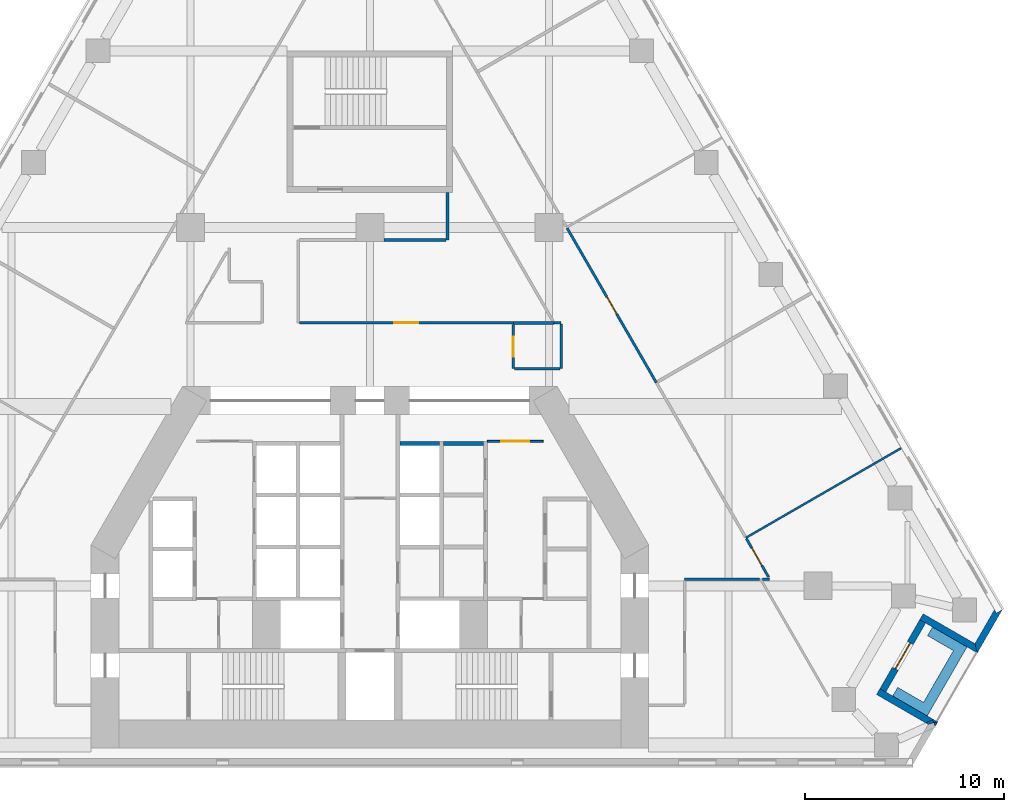
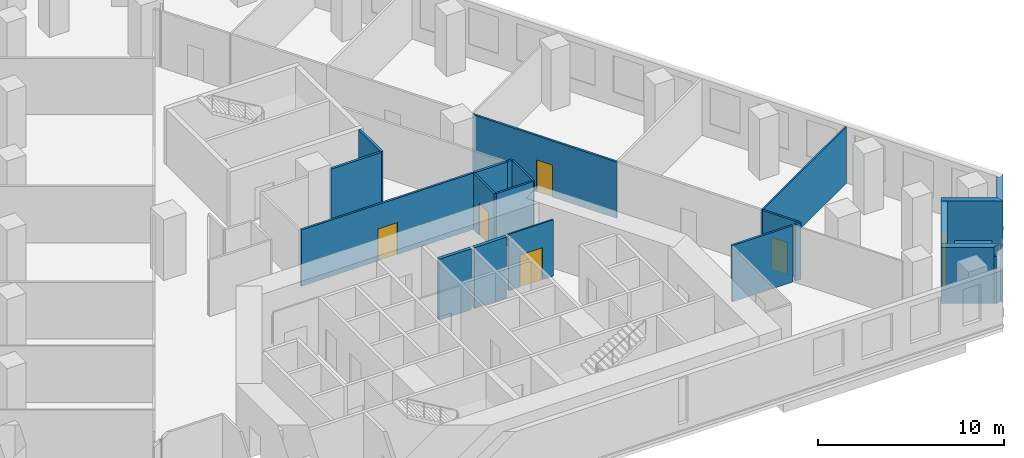
# One storey, part 7 of 11: 23 walls, 6 doors, 6 openings.
"""IFC4 building model written with IfcOpenShell, lengths in metres."""

from ifc_helpers import new_model, si_unit, direction, frame, frame_2d, origin, place, context, subcontext, project, spatial, polyline, rectangle, outline, extrude, material, layer, layer_set, type_object, element, fill, save


model = new_model("IFC4")

# Units and contexts
model_context = context("Model", 3, precision=1e-05, world=origin(), true_north=direction((0.0, 1.0)))
body_context = subcontext(model_context, "Body", "Model", "MODEL_VIEW")
ifc_project = project(units=[si_unit("LENGTHUNIT", "METRE"), si_unit("AREAUNIT", "SQUARE_METRE"), si_unit("VOLUMEUNIT", "CUBIC_METRE"), si_unit("PLANEANGLEUNIT", "RADIAN"), si_unit("MASSUNIT", "GRAM", prefix="KILO")], contexts=[model_context])

# Site, building, storey
site_placement = place(None, origin())
site = spatial("IfcSite", under=ifc_project, at=site_placement, CompositionType="ELEMENT")
building_placement = place(site_placement, origin())
building = spatial("IfcBuilding", under=site, at=building_placement, Name="Fogline Exchange Tower", CompositionType="ELEMENT")
storey_placement = place(building_placement, frame((0.0, 0.0, 60.89990234375)))
storey = spatial("IfcBuildingStorey", under=building, at=storey_placement, Name="L12", CompositionType="ELEMENT", Elevation=60.89990234375)

# Wall, opening, door
ifc_material_1 = material(Name="Blockwork partition", Category="masonry")
ifc_layer_1 = layer(ifc_material_1, 0.10009765625)
ifc_layer_set_1 = layer_set([ifc_layer_1], Name="CW10")
wall_type_1 = type_object("IfcWallType", Name="CW10", PredefinedType="PARTITIONING", material=ifc_layer_set_1)
wall_1_placement = place(storey_placement, frame((5.89990234375, 16.25, 0.0), z_axis=(0.0, 0.0, 1.0), x_axis=(1.0, 0.0, 0.0)))
wall_1 = element("IfcWall", 1, at=wall_1_placement, inside=storey, type_object=wall_type_1, Name="Lift lobby partition", PredefinedType="PARTITIONING", context=body_context, shape_type="SweptSolid", body=[
    extrude(rectangle(XDim=2.800048828125, YDim=0.10009765625, at=frame_2d((1.39990234375, 0.0))), origin(), (0.0, 0.0, 1.0), 3.7001953125),
])
opening_1_placement = place(wall_1_placement, frame((0.699951171875, 0.0, 0.0)))
opening_1 = element("IfcOpeningElement", 2, at=opening_1_placement, cuts=wall_1, Name="Opening T03-C013", PredefinedType="OPENING", context=body_context, shape_type="SweptSolid", body=[
    extrude(rectangle(XDim=1.39990234375, YDim=2.10009765625, at=frame_2d((0.699951171875, 1.050048828125))), frame((0.0, 0.06005859375, 0.0), z_axis=(0.0, -1.0, 0.0), x_axis=(1.0, 0.0, 0.0)), (0.0, 0.0, 1.0), 0.1201171875),
])
ifc_material_2 = material(Name="Steel and timber fire door", Category="steel")
door_type_1 = type_object("IfcDoorType", Name="D-LB1", OperationType="DOUBLE_DOOR_SINGLE_SWING", PredefinedType="DOOR", material=ifc_material_2)
door_1_placement = place(opening_1_placement, origin())
door_1 = element("IfcDoor", 3, at=door_1_placement, inside=storey, type_object=door_type_1, Name="Door to lift lobby", OperationType="DOUBLE_DOOR_SINGLE_SWING", OverallHeight=2.10009765625, OverallWidth=1.39990234375, PredefinedType="DOOR", context=body_context, shape_type="SweptSolid", body=[
    extrude(rectangle(XDim=1.39990234375, YDim=2.10009765625, at=frame_2d((0.699951171875, 1.050048828125))), frame((0.0, 0.02490234375, 0.0), z_axis=(0.0, -1.0, 0.0), x_axis=(1.0, 0.0, 0.0)), (0.0, 0.0, 1.0), 0.050048828125),
])
fill(opening_1, door_1)

# Walls
ifc_material_3 = material(Name="Concrete C40", Category="concrete")
ifc_layer_2 = layer(ifc_material_3, 0.199951171875)
ifc_layer_set_2 = layer_set([ifc_layer_2], Name="CW20S")
wall_type_2 = type_object("IfcWallType", Name="CW20S", PredefinedType="SOLIDWALL", material=ifc_layer_set_2)
for number, where, z_axis, x_axis, name in (
    (4, (3.699951171875, 16.14990234375, -0.2998046875), (0.0, 0.0, 1.0), (1.0, 0.0, 0.0), "Lift shaft wall"),
    (5, (1.5, 16.14990234375, -0.2998046875), (0.0, 0.0, 1.0), (1.0, 0.0, 0.0), "Lift shaft wall"),
):
    element("IfcWall", number, at=place(storey_placement, frame(where, z_axis=z_axis, x_axis=x_axis)), inside=storey, type_object=wall_type_2, Name=name, PredefinedType="SOLIDWALL", context=body_context, shape_type="SweptSolid", body=[
        extrude(rectangle(XDim=2.0, YDim=0.199951171875, at=frame_2d((1.0, 0.0))), origin(), (0.0, 0.0, 1.0), 4.0),
    ])
ifc_material_4 = material(Name="Brick masonry", Category="masonry")
ifc_layer_3 = layer(ifc_material_4, 0.340087890625)
ifc_layer_set_3 = layer_set([ifc_layer_3], Name="FW1")
wall_type_3 = type_object("IfcWallType", Name="FW1", PredefinedType="SOLIDWALL", material=ifc_layer_set_3)
wall_2_placement = place(storey_placement, origin())
element("IfcWall", 6, at=wall_2_placement, inside=storey, type_object=wall_type_3, Name="Brick wall L12 SE-c1", PredefinedType="SOLIDWALL", context=body_context, shape_type="SweptSolid", body=[
    extrude(outline(polyline([(28.388916015625, 1.962646484375), (28.319580078125, 2.115966796875), (28.506103515625, 2.166015625), (28.50634765625, 2.165771484375), (28.388916015625, 1.962646484375)])), origin(), (0.0, 0.0, 1.0), 3.7001953125),
])
wall_3_placement = place(storey_placement, origin())
element("IfcWall", 7, at=wall_3_placement, inside=storey, type_object=wall_type_3, Name="Brick wall L12 SE-s1", PredefinedType="SOLIDWALL", context=body_context, shape_type="SweptSolid", body=[
    extrude(outline(polyline([(28.040771484375, 2.0400390625), (27.91015625, 2.115478515625), (28.25, 2.269287109375), (28.320068359375, 2.11474609375), (28.040771484375, 2.0400390625)])), origin(), (0.0, 0.0, 1.0), 3.10009765625),
])
wall_4_placement = place(storey_placement, origin())
element("IfcWall", 8, at=wall_4_placement, inside=storey, type_object=wall_type_3, Name="Brick wall L12 SE-s1", PredefinedType="SOLIDWALL", context=body_context, shape_type="SweptSolid", body=[
    extrude(outline(polyline([(25.612548828125, 3.8359375), (25.907470703125, 3.66552734375), (28.50634765625, 2.1650390625), (28.50634765625, 2.164794921875), (28.320068359375, 2.11474609375), (28.25, 2.269287109375), (27.91015625, 2.115478515625), (25.44189453125, 3.540283203125), (25.612548828125, 3.8359375)])), origin(), (0.0, 0.0, 1.0), 3.7001953125),
])

# Wall, opening, door
wall_5_placement = place(storey_placement, frame((25.760009765625, 3.75, 0.0), z_axis=(0.0, 0.0, 1.0), x_axis=(0.49999894854, 0.866026010844, 0.0)))
wall_5 = element("IfcWall", 9, at=wall_5_placement, inside=storey, type_object=wall_type_3, Name="Brick wall L12 SE-bk", PredefinedType="SOLIDWALL", context=body_context, shape_type="SweptSolid", body=[
    extrude(rectangle(XDim=4.0, YDim=0.340087890625, at=frame_2d((2.0, 0.0))), origin(), (0.0, 0.0, 1.0), 3.7001953125),
])
opening_2_placement = place(wall_5_placement, frame((1.25, 0.0, 0.0)))
opening_2 = element("IfcOpeningElement", 10, at=opening_2_placement, cuts=wall_5, Name="Opening T03-E081", PredefinedType="OPENING", context=body_context, shape_type="SweptSolid", body=[
    extrude(rectangle(XDim=1.5, YDim=2.39990234375, at=frame_2d((0.75, 1.199951171875))), frame((0.0, 0.18017578125, 0.0), z_axis=(0.0, -1.0, 0.0), x_axis=(1.0, 0.0, 0.0)), (0.0, 0.0, 1.0), 0.360107421875),
])
ifc_material_5 = material(Name="Aluminium and glass", Category="aluminium")
door_type_2 = type_object("IfcDoorType", Name="ED4", OperationType="SINGLE_SWING_LEFT", PredefinedType="DOOR", material=ifc_material_5)
door_2_placement = place(opening_2_placement, frame((1.5, 0.0, 0.0), z_axis=(0.0, 0.0, 1.0), x_axis=(-1.0, 0.0, 0.0)))
door_2 = element("IfcDoor", 11, at=door_2_placement, inside=storey, type_object=door_type_2, Name="Balcony door L12 SE", OperationType="DOUBLE_DOOR_SINGLE_SWING", OverallHeight=2.39990234375, OverallWidth=1.5, PredefinedType="DOOR", context=body_context, shape_type="SweptSolid", body=[
    extrude(rectangle(XDim=1.5, YDim=2.39990234375, at=frame_2d((0.75, 1.199951171875))), frame((0.0, 0.02490234375, 0.0), z_axis=(0.0, -1.0, 0.0), x_axis=(1.0, 0.0, 0.0)), (0.0, 0.0, 1.0), 0.050048828125),
])
fill(opening_2, door_2)

# Walls
wall_6_placement = place(storey_placement, origin())
element("IfcWall", 12, at=wall_6_placement, inside=storey, type_object=wall_type_3, Name="Brick wall L12 SE-s2", PredefinedType="SOLIDWALL", context=body_context, shape_type="SweptSolid", body=[
    extrude(outline(polyline([(30.505859375, 5.628173828125), (27.90673828125, 7.128662109375), (27.61181640625, 7.298828125), (27.782470703125, 7.594482421875), (30.38134765625, 6.093994140625), (30.506103515625, 5.62841796875), (30.505859375, 5.628173828125)])), origin(), (0.0, 0.0, 1.0), 3.7001953125),
])
wall_7_placement = place(storey_placement, origin())
element("IfcWall", 13, at=wall_7_placement, inside=storey, type_object=wall_type_3, Name="Brick wall L12 SE-c2", PredefinedType="SOLIDWALL", context=body_context, shape_type="SweptSolid", body=[
    extrude(outline(polyline([(31.362548828125, 7.79541015625), (31.4609375, 7.625), (31.755859375, 7.79541015625), (31.75634765625, 7.794921875), (30.505126953125, 5.6279296875), (30.5048828125, 5.6279296875), (30.380126953125, 6.09375), (31.362548828125, 7.79541015625)])), origin(), (0.0, 0.0, 1.0), 3.7001953125),
])
ifc_material_6 = material(Name="Concrete C30", Category="concrete")
ifc_layer_4 = layer(ifc_material_6, 0.199951171875)
ifc_layer_set_4 = layer_set([ifc_layer_4], Name="PL1")
wall_type_4 = type_object("IfcWallType", Name="PL1", PredefinedType="USERDEFINED", material=ifc_layer_set_4)
wall_8_placement = place(storey_placement, origin())
element("IfcWall", 14, at=wall_8_placement, inside=storey, type_object=wall_type_4, Name="PLANTER balcony L12 SE", ObjectType="PLANTER", PredefinedType="USERDEFINED", context=body_context, shape_type="SweptSolid", body=[
    extrude(outline(polyline([(26.253662109375, 3.465087890625), (27.552490234375, 2.715087890625), (27.552490234375, 2.715087890625), (27.985595703125, 2.465087890625), (29.735595703125, 5.49609375), (29.985595703125, 5.92919921875), (28.253662109375, 6.92919921875), (28.003662109375, 6.49609375), (29.302490234375, 5.74609375), (27.802490234375, 3.148193359375), (26.503662109375, 3.898193359375), (26.253662109375, 3.465087890625)])), origin(), (0.0, 0.0, 1.0), 1.10009765625),
])
ifc_material_7 = material(Name="Plasterboard partition, 2 layers each side on steel studs", Category="steel")
ifc_layer_5 = layer(ifc_material_7, 0.10009765625)
ifc_layer_set_5 = layer_set([ifc_layer_5], Name="PW1")
wall_type_5 = type_object("IfcWallType", Name="PW1", PredefinedType="PARTITIONING", material=ifc_layer_set_5)
wall_9_placement = place(storey_placement, frame((18.881591796875, 11.412109375, 0.0), z_axis=(0.0, 0.0, 1.0), x_axis=(0.866024315419, 0.5000018851, 0.0)))
element("IfcWall", 15, at=wall_9_placement, inside=storey, type_object=wall_type_5, Name="wall-L12-W056", PredefinedType="PARTITIONING", context=body_context, shape_type="SweptSolid", body=[
    extrude(rectangle(XDim=9.0, YDim=0.10009765625, at=frame_2d((4.5, 0.0))), origin(), (0.0, 0.0, 1.0), 3.7001953125),
])

# Wall, opening, door
ifc_material_8 = material(Name="Plasterboard corridor partition with mineral wool, 2 layers each side")
ifc_layer_6 = layer(ifc_material_8, 0.125)
ifc_layer_set_6 = layer_set([ifc_layer_6], Name="PW2")
wall_type_6 = type_object("IfcWallType", Name="PW2", PredefinedType="PARTITIONING", material=ifc_layer_set_6)
wall_10_placement = place(storey_placement, frame((7.199951171875, 22.12451171875, 0.0), z_axis=(0.0, 0.0, 1.0), x_axis=(0.0, -1.0, 0.0)))
wall_10 = element("IfcWall", 16, at=wall_10_placement, inside=storey, type_object=wall_type_6, Name="wall-L12-W003", PredefinedType="PARTITIONING", context=body_context, shape_type="SweptSolid", body=[
    extrude(rectangle(XDim=2.224609375, YDim=0.125, at=frame_2d((1.1123046875, 0.0))), origin(), (0.0, 0.0, 1.0), 3.7001953125),
])
opening_3_placement = place(wall_10_placement, frame((0.6123046875, 0.0, 0.0)))
opening_3 = element("IfcOpeningElement", 17, at=opening_3_placement, cuts=wall_10, Name="Opening T03-D002", PredefinedType="OPENING", context=body_context, shape_type="SweptSolid", body=[
    extrude(rectangle(XDim=1.0, YDim=2.10009765625, at=frame_2d((0.5, 1.050048828125))), frame((0.0, 0.072509765625, 0.0), z_axis=(0.0, -1.0, 0.0), x_axis=(1.0, 0.0, 0.0)), (0.0, 0.0, 1.0), 0.14501953125),
])
ifc_material_9 = material(Name="Fire-rated timber door leaf with steel frame", Category="steel")
door_type_3 = type_object("IfcDoorType", Name="D3", OperationType="SINGLE_SWING_LEFT", PredefinedType="DOOR", material=ifc_material_9)
door_3_placement = place(opening_3_placement, origin())
door_3 = element("IfcDoor", 18, at=door_3_placement, inside=storey, type_object=door_type_3, Name="door-L12-D002", OperationType="SINGLE_SWING_RIGHT", OverallHeight=2.10009765625, OverallWidth=1.0, PredefinedType="DOOR", context=body_context, shape_type="SweptSolid", body=[
    extrude(rectangle(XDim=1.0, YDim=2.10009765625, at=frame_2d((0.5, 1.050048828125))), frame((0.0, 0.02490234375, 0.0), z_axis=(0.0, -1.0, 0.0), x_axis=(1.0, 0.0, 0.0)), (0.0, 0.0, 1.0), 0.050048828125),
])
fill(opening_3, door_3)

# Walls
wall_11_placement = place(storey_placement, frame((7.262451171875, 19.89990234375, 0.0), z_axis=(0.0, 0.0, 1.0), x_axis=(1.0, 0.0, 0.0)))
element("IfcWall", 19, at=wall_11_placement, inside=storey, type_object=wall_type_6, Name="wall-L12-W004", PredefinedType="PARTITIONING", context=body_context, shape_type="SweptSolid", body=[
    extrude(rectangle(XDim=2.275146484375, YDim=0.125, at=frame_2d((1.1376953125, 0.0))), origin(), (0.0, 0.0, 1.0), 3.7001953125),
])
wall_12_placement = place(storey_placement, frame((9.60009765625, 19.89990234375, 0.0), z_axis=(0.0, 0.0, 1.0), x_axis=(0.0, 1.0, 0.0)))
element("IfcWall", 20, at=wall_12_placement, inside=storey, type_object=wall_type_6, Name="wall-L12-W005", PredefinedType="PARTITIONING", context=body_context, shape_type="SweptSolid", body=[
    extrude(rectangle(XDim=2.237548828125, YDim=0.125, at=frame_2d((1.11865234375, 0.0))), origin(), (0.0, 0.0, 1.0), 3.7001953125),
])

# Wall, opening, door
wall_13_placement = place(storey_placement, frame((-3.53759765625, 22.199951171875, 0.0), z_axis=(0.0, 0.0, 1.0), x_axis=(1.0, 0.0, 0.0)))
wall_13 = element("IfcWall", 21, at=wall_13_placement, inside=storey, type_object=wall_type_6, Name="wall-L12-W006", PredefinedType="PARTITIONING", context=body_context, shape_type="SweptSolid", body=[
    extrude(rectangle(XDim=10.737548828125, YDim=0.125, at=frame_2d((5.36865234375, 0.0))), origin(), (0.0, 0.0, 1.0), 3.7001953125),
])
opening_4_placement = place(wall_13_placement, frame((4.768798828125, 0.0, 0.0)))
opening_4 = element("IfcOpeningElement", 22, at=opening_4_placement, cuts=wall_13, Name="Opening T03-D003", PredefinedType="OPENING", context=body_context, shape_type="SweptSolid", body=[
    extrude(rectangle(XDim=1.199951171875, YDim=2.10009765625, at=frame_2d((0.60009765625, 1.050048828125))), frame((0.0, 0.072509765625, 0.0), z_axis=(0.0, -1.0, 0.0), x_axis=(1.0, 0.0, 0.0)), (0.0, 0.0, 1.0), 0.14501953125),
])
ifc_material_10 = material(Name="Fire-rated glazed door leaf with steel frame", Category="steel")
door_type_4 = type_object("IfcDoorType", Name="D5", OperationType="SINGLE_SWING_LEFT", PredefinedType="DOOR", material=ifc_material_10)
door_4_placement = place(opening_4_placement, origin())
door_4 = element("IfcDoor", 23, at=door_4_placement, inside=storey, type_object=door_type_4, Name="door-L12-D003", OperationType="SINGLE_SWING_RIGHT", OverallHeight=2.10009765625, OverallWidth=1.199951171875, PredefinedType="DOOR", context=body_context, shape_type="SweptSolid", body=[
    extrude(rectangle(XDim=1.199951171875, YDim=2.10009765625, at=frame_2d((0.60009765625, 1.050048828125))), frame((0.0, 0.02490234375, 0.0), z_axis=(0.0, -1.0, 0.0), x_axis=(1.0, 0.0, 0.0)), (0.0, 0.0, 1.0), 0.050048828125),
])
fill(opening_4, door_4)

# Wall
wall_14_placement = place(storey_placement, frame((9.60009765625, 22.199951171875, 0.0), z_axis=(0.0, 0.0, 1.0), x_axis=(-1.0, 0.0, 0.0)))
element("IfcWall", 24, at=wall_14_placement, inside=storey, type_object=wall_type_6, Name="wall-L12-W010", PredefinedType="PARTITIONING", context=body_context, shape_type="SweptSolid", body=[
    extrude(rectangle(XDim=0.353271484375, YDim=0.125, at=frame_2d((0.1767578125, 0.0))), origin(), (0.0, 0.0, 1.0), 3.7001953125),
])

# Wall, opening, door
wall_15_placement = place(storey_placement, frame((9.90673828125, 26.956787109375, 0.0), z_axis=(0.0, 0.0, 1.0), x_axis=(0.500008968592, -0.866020225704, 0.0)))
wall_15 = element("IfcWall", 25, at=wall_15_placement, inside=storey, type_object=wall_type_6, Name="wall-L12-W011", PredefinedType="PARTITIONING", context=body_context, shape_type="SweptSolid", body=[
    extrude(rectangle(XDim=8.949462890625, YDim=0.125, at=frame_2d((4.474609375, 0.0))), origin(), (0.0, 0.0, 1.0), 3.7001953125),
])
opening_5_placement = place(wall_15_placement, frame((3.974609375, 0.0, 0.0)))
opening_5 = element("IfcOpeningElement", 26, at=opening_5_placement, cuts=wall_15, Name="Opening T03-D005", PredefinedType="OPENING", context=body_context, shape_type="SweptSolid", body=[
    extrude(rectangle(XDim=1.0, YDim=2.10009765625, at=frame_2d((0.5, 1.050048828125))), frame((0.0, 0.072509765625, 0.0), z_axis=(0.0, -1.0, 0.0), x_axis=(1.0, 0.0, 0.0)), (0.0, 0.0, 1.0), 0.14501953125),
])
door_5_placement = place(opening_5_placement, origin())
door_5 = element("IfcDoor", 27, at=door_5_placement, inside=storey, type_object=door_type_3, Name="door-L12-D005", OperationType="SINGLE_SWING_LEFT", OverallHeight=2.10009765625, OverallWidth=1.0, PredefinedType="DOOR", context=body_context, shape_type="SweptSolid", body=[
    extrude(rectangle(XDim=1.0, YDim=2.10009765625, at=frame_2d((0.5, 1.050048828125))), frame((0.0, 0.02490234375, 0.0), z_axis=(0.0, -1.0, 0.0), x_axis=(1.0, 0.0, 0.0)), (0.0, 0.0, 1.0), 0.050048828125),
])
fill(opening_5, door_5)

# Wall
wall_16_placement = place(storey_placement, frame((19.572265625, 9.340087890625, 0.0), z_axis=(0.0, 0.0, 1.0), x_axis=(-1.0, 0.0, 0.0)))
element("IfcWall", 28, at=wall_16_placement, inside=storey, type_object=wall_type_6, Name="wall-L12-W028", PredefinedType="PARTITIONING", context=body_context, shape_type="SweptSolid", body=[
    extrude(rectangle(XDim=3.772216796875, YDim=0.125, at=frame_2d((1.88623046875, 0.0))), origin(), (0.0, 0.0, 1.0), 3.7001953125),
])

# Wall, opening, door
wall_17_placement = place(storey_placement, frame((18.90673828125, 11.368408203125, 0.0), z_axis=(0.0, 0.0, 1.0), x_axis=(0.4999716195, -0.866041788654, 0.0)))
wall_17 = element("IfcWall", 29, at=wall_17_placement, inside=storey, type_object=wall_type_6, Name="wall-L12-W029", PredefinedType="PARTITIONING", context=body_context, shape_type="SweptSolid", body=[
    extrude(rectangle(XDim=2.233642578125, YDim=0.125, at=frame_2d((1.11669921875, 0.0))), origin(), (0.0, 0.0, 1.0), 3.7001953125),
])
opening_6_placement = place(wall_17_placement, frame((0.550048828125, 0.0, 0.0)))
opening_6 = element("IfcOpeningElement", 30, at=opening_6_placement, cuts=wall_17, Name="Opening T03-D016", PredefinedType="OPENING", context=body_context, shape_type="SweptSolid", body=[
    extrude(rectangle(XDim=1.0, YDim=2.10009765625, at=frame_2d((0.5, 1.050048828125))), frame((0.0, 0.072509765625, 0.0), z_axis=(0.0, -1.0, 0.0), x_axis=(1.0, 0.0, 0.0)), (0.0, 0.0, 1.0), 0.14501953125),
])
door_6_placement = place(opening_6_placement, origin())
door_6 = element("IfcDoor", 31, at=door_6_placement, inside=storey, type_object=door_type_3, Name="door-L12-D016", OperationType="SINGLE_SWING_LEFT", OverallHeight=2.10009765625, OverallWidth=1.0, PredefinedType="DOOR", context=body_context, shape_type="SweptSolid", body=[
    extrude(rectangle(XDim=1.0, YDim=2.10009765625, at=frame_2d((0.5, 1.050048828125))), frame((0.0, 0.02490234375, 0.0), z_axis=(0.0, -1.0, 0.0), x_axis=(1.0, 0.0, 0.0)), (0.0, 0.0, 1.0), 0.050048828125),
])
fill(opening_6, door_6)

# Walls
wall_18_placement = place(storey_placement, frame((20.077880859375, 9.340087890625, 0.0), z_axis=(0.0, 0.0, 1.0), x_axis=(-1.0, 0.0, 0.0)))
element("IfcWall", 32, at=wall_18_placement, inside=storey, type_object=wall_type_6, Name="wall-L12-W030", PredefinedType="PARTITIONING", context=body_context, shape_type="SweptSolid", body=[
    extrude(rectangle(XDim=0.36767578125, YDim=0.125, at=frame_2d((0.183837890625, 0.0))), origin(), (0.0, 0.0, 1.0), 3.7001953125),
])
ifc_material_11 = material(Name="Plasterboard demising partition with mineral wool and acoustic board")
ifc_layer_7 = layer(ifc_material_11, 0.14990234375)
ifc_layer_set_7 = layer_set([ifc_layer_7], Name="PW3")
wall_type_7 = type_object("IfcWallType", Name="PW3", PredefinedType="PARTITIONING", material=ifc_layer_set_7)
wall_19_placement = place(storey_placement, frame((7.199951171875, 22.199951171875, 0.0), z_axis=(0.0, 0.0, 1.0), x_axis=(1.0, 0.0, 0.0)))
element("IfcWall", 33, at=wall_19_placement, inside=storey, type_object=wall_type_7, Name="wall-L12-W039", PredefinedType="PARTITIONING", context=body_context, shape_type="SweptSolid", body=[
    extrude(rectangle(XDim=2.046875, YDim=0.14990234375, at=frame_2d((1.0234375, 0.0))), origin(), (0.0, 0.0, 1.0), 3.7001953125),
])
ifc_material_12 = material(Name="Plasterboard stair lobby partition, 3 layers each side on steel studs", Category="steel")
ifc_layer_8 = layer(ifc_material_12, 0.14990234375)
ifc_layer_set_8 = layer_set([ifc_layer_8], Name="PW4")
wall_type_8 = type_object("IfcWallType", Name="PW4", PredefinedType="PARTITIONING", material=ifc_layer_set_8)
wall_20_placement = place(storey_placement, frame((3.89990234375, 28.757080078125, 0.0), z_axis=(0.0, 0.0, 1.0), x_axis=(0.0, -1.0, 0.0)))
element("IfcWall", 34, at=wall_20_placement, inside=storey, type_object=wall_type_8, Name="wall-L12-W032", PredefinedType="PARTITIONING", context=body_context, shape_type="SweptSolid", body=[
    extrude(rectangle(XDim=2.400146484375, YDim=0.14990234375, at=frame_2d((1.2001953125, 0.0))), origin(), (0.0, 0.0, 1.0), 3.7001953125),
])
wall_21_placement = place(storey_placement, frame((3.824951171875, 26.35693359375, 0.0), z_axis=(0.0, 0.0, 1.0), x_axis=(-1.0, 0.0, 0.0)))
element("IfcWall", 35, at=wall_21_placement, inside=storey, type_object=wall_type_8, Name="wall-L12-W033", PredefinedType="PARTITIONING", context=body_context, shape_type="SweptSolid", body=[
    extrude(rectangle(XDim=3.125, YDim=0.14990234375, at=frame_2d((1.5625, 0.0))), origin(), (0.0, 0.0, 1.0), 3.7001953125),
])

save(model, "model.ifc")
